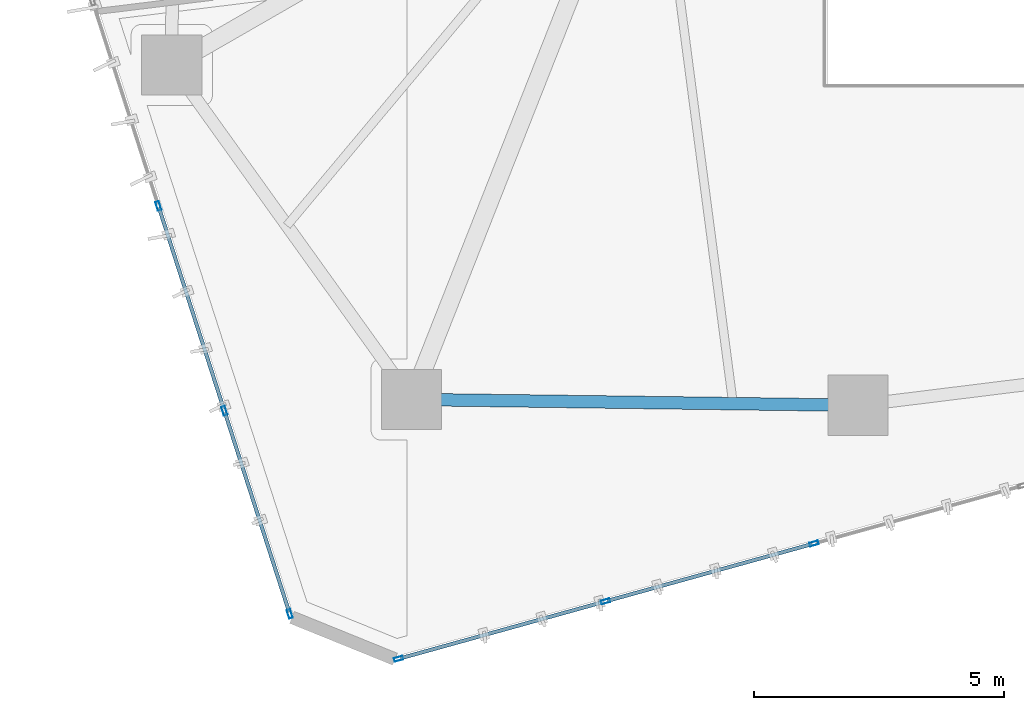
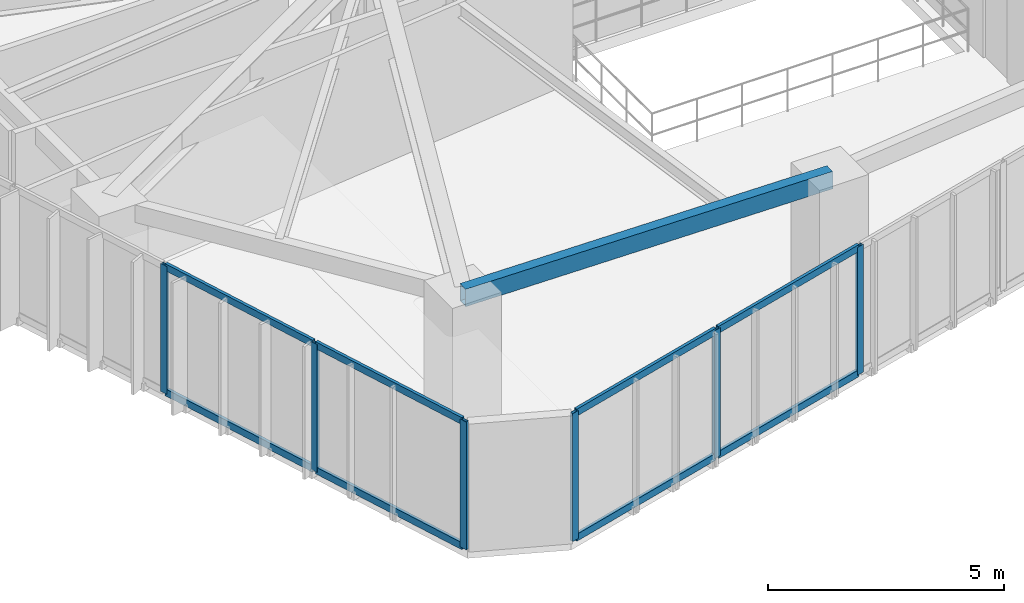
# One storey, part 2 of 20: 14 members, 1 beam, 2 elements without a shape of their own.
"""IFC4 building model written with IfcOpenShell, lengths in metres."""

from ifc_helpers import new_model, si_unit, direction, frame, origin, origin_2d, place, context, subcontext, project, spatial, hollow_rectangle, extrude, source, transform, mapped, material, layer, layer_set, material_profile, profile_set, type_object, type_shapes, element, aggregate, save


model = new_model("IFC4")

# Units and contexts
model_context = context("Model", 3, precision=1e-05, world=origin(), true_north=direction((0.0, 1.0)))
body_context = subcontext(model_context, "Body", "Model", "MODEL_VIEW")
ifc_project = project(units=[si_unit("LENGTHUNIT", "METRE"), si_unit("AREAUNIT", "SQUARE_METRE"), si_unit("VOLUMEUNIT", "CUBIC_METRE"), si_unit("PLANEANGLEUNIT", "RADIAN"), si_unit("MASSUNIT", "GRAM", prefix="KILO")], contexts=[model_context])

# Site, building, storey
site_placement = place(None, origin())
site = spatial("IfcSite", under=ifc_project, at=site_placement, CompositionType="ELEMENT")
building_placement = place(site_placement, origin())
building = spatial("IfcBuilding", under=site, at=building_placement, Name="Talar Marvaseh", CompositionType="ELEMENT")
storey_placement = place(building_placement, frame((0.0, 0.0, 136.199951171875)))
storey = spatial("IfcBuildingStorey", under=building, at=storey_placement, Name="L35", CompositionType="ELEMENT", Elevation=136.199951171875)

# Beam
ifc_material_1 = material(Name="Steel S355", Category="steel")
ifc_material_profile_1 = material_profile(ifc_material_1, hollow_rectangle(XDim=0.25, YDim=0.449951171875, WallThickness=0.01611328125, at=origin_2d()), Name="RHS450x250x16")
ifc_profile_set_1 = profile_set([ifc_material_profile_1], Name="Steel S355")
beam_type = type_object("IfcBeamType", Name="Zone 2 Perimeter Spandrel Beam RHS450x250x16", PredefinedType="SPANDREL", material=ifc_profile_set_1)
beam_placement = place(storey_placement, frame((22.804931640625, 13.18310546875, 3.0849609375), z_axis=(-0.999915383581, 0.013008677034, 0.0), x_axis=(-0.013008677034, -0.999915383581, 0.0)))
element("IfcBeam", 1, at=beam_placement, inside=storey, type_object=beam_type, Name="L35 Zone 2 Perimeter Spandrel Beam RHS450x250x16", PredefinedType="SPANDREL", context=body_context, shape_type="SweptSolid", body=[
    extrude(hollow_rectangle(XDim=0.25, YDim=0.449951171875, WallThickness=0.01611328125, at=origin_2d()), origin(), (0.0, 0.0, 1.0), 8.91455078125),
])

# Curtain wall, members
ifc_material_2 = material(Name="Architectural Aluminium", Category="aluminium")
ifc_layer = layer(ifc_material_2, 0.199951171875)
ifc_layer_set = layer_set([ifc_layer], Name="Architectural Aluminium")
curtain_wall_type = type_object("IfcCurtainWallType", Name="Unitised Acoustic Library Curtain Wall Z2", PredefinedType="NOTDEFINED", material=ifc_layer_set)
curtain_wall_1_placement = place(storey_placement, origin())
curtain_wall_1 = element("IfcCurtainWall", 2, at=curtain_wall_1_placement, inside=storey, type_object=curtain_wall_type, Name="L35 Unitised Acoustic Library Curtain Wall Z2", PredefinedType="NOTDEFINED")
ifc_material_profile_2 = material_profile(ifc_material_2, hollow_rectangle(XDim=0.074951171875, YDim=0.179931640625, WallThickness=0.0048828125, at=origin_2d()), Name="RHS180x75x5")
ifc_profile_set_2 = profile_set([ifc_material_profile_2], Name="Architectural Aluminium")
member_type_1 = type_object("IfcMemberType", Name="Unitised Curtain Wall Standard Mullion RHS180x75x5", PredefinedType="MULLION", material=ifc_profile_set_2)
shared_shape_1 = source(origin(), body_context, "Body", "SweptSolid", [
    extrude(hollow_rectangle(XDim=0.074951171875, YDim=0.179931640625, WallThickness=0.0048828125, at=origin_2d()), origin(), (0.0, 0.0, 1.0), 3.31005859375),
])
type_shapes(member_type_1, [shared_shape_1])
member_1_placement = place(storey_placement, frame((11.45654296875, 9.0185546875, 0.0), z_axis=(0.0, 0.0, 1.0), x_axis=(-0.951882475117, -0.306463298887, 0.0)))
member_1 = element("IfcMember", 3, at=member_1_placement, type_object=member_type_1, Name="CW-Z2 mullion 1", PredefinedType="MULLION", context=body_context, shape_type="MappedRepresentation", body=[
    mapped(shared_shape_1, transform((0.0, 0.0, 0.0), x_axis=(1.0, 0.0, 0.0), y_axis=(0.0, 1.0, 0.0), z_axis=(0.0, 0.0, 1.0), scale=1.0)),
])
member_2_placement = place(storey_placement, frame((10.15087890625, 13.073974609375, 0.0), z_axis=(0.0, 0.0, 1.0), x_axis=(-0.951882475117, -0.306463298887, 0.0)))
member_2 = element("IfcMember", 4, at=member_2_placement, type_object=member_type_1, Name="CW-Z2 mullion 2", PredefinedType="MULLION", context=body_context, shape_type="MappedRepresentation", body=[
    mapped(shared_shape_1, transform((0.0, 0.0, 0.0), x_axis=(1.0, 0.0, 0.0), y_axis=(0.0, 1.0, 0.0), z_axis=(0.0, 0.0, 1.0), scale=1.0)),
])
member_3_placement = place(storey_placement, frame((8.833740234375, 17.1650390625, 0.0), z_axis=(0.0, 0.0, 1.0), x_axis=(-0.951882475117, -0.306463298887, 0.0)))
member_3 = element("IfcMember", 5, at=member_3_placement, type_object=member_type_1, Name="CW-Z2 mullion 3", PredefinedType="MULLION", context=body_context, shape_type="MappedRepresentation", body=[
    mapped(shared_shape_1, transform((0.0, 0.0, 0.0), x_axis=(1.0, 0.0, 0.0), y_axis=(0.0, 1.0, 0.0), z_axis=(0.0, 0.0, 1.0), scale=1.0)),
])

curtain_wall_2_placement = place(storey_placement, origin())
curtain_wall_2 = element("IfcCurtainWall", 6, at=curtain_wall_2_placement, inside=storey, type_object=curtain_wall_type, Name="L35 Unitised Acoustic Library Curtain Wall Z2", PredefinedType="NOTDEFINED")
member_4_placement = place(storey_placement, frame((21.927490234375, 10.422607421875, 0.0), z_axis=(0.0, 0.0, 1.0), x_axis=(0.267388332185, -0.963588854134, 0.0)))
member_4 = element("IfcMember", 7, at=member_4_placement, type_object=member_type_1, Name="CW-Z2 mullion 4", PredefinedType="MULLION", context=body_context, shape_type="MappedRepresentation", body=[
    mapped(shared_shape_1, transform((0.0, 0.0, 0.0), x_axis=(1.0, 0.0, 0.0), y_axis=(0.0, 1.0, 0.0), z_axis=(0.0, 0.0, 1.0), scale=1.0)),
])
member_5_placement = place(storey_placement, frame((17.761474609375, 9.2666015625, 0.0), z_axis=(0.0, 0.0, 1.0), x_axis=(0.267388332185, -0.963588854134, 0.0)))
member_5 = element("IfcMember", 8, at=member_5_placement, type_object=member_type_1, Name="CW-Z2 mullion 5", PredefinedType="MULLION", context=body_context, shape_type="MappedRepresentation", body=[
    mapped(shared_shape_1, transform((0.0, 0.0, 0.0), x_axis=(1.0, 0.0, 0.0), y_axis=(0.0, 1.0, 0.0), z_axis=(0.0, 0.0, 1.0), scale=1.0)),
])
member_6_placement = place(storey_placement, frame((13.63134765625, 8.12060546875, 0.0), z_axis=(0.0, 0.0, 1.0), x_axis=(0.267388332185, -0.963588854134, 0.0)))
member_6 = element("IfcMember", 9, at=member_6_placement, type_object=member_type_1, Name="CW-Z2 mullion 6", PredefinedType="MULLION", context=body_context, shape_type="MappedRepresentation", body=[
    mapped(shared_shape_1, transform((0.0, 0.0, 0.0), x_axis=(1.0, 0.0, 0.0), y_axis=(0.0, 1.0, 0.0), z_axis=(0.0, 0.0, 1.0), scale=1.0)),
])

# Member
ifc_material_profile_3 = material_profile(ifc_material_2, hollow_rectangle(XDim=0.074951171875, YDim=0.179931640625, WallThickness=0.0048828125, at=origin_2d()), Name="RHS180x75x5")
ifc_profile_set_3 = profile_set([ifc_material_profile_3], Name="Architectural Aluminium")
member_type_2 = type_object("IfcMemberType", Name="Unitised Curtain Wall Transom RHS180x75x5", PredefinedType="USERDEFINED", material=ifc_profile_set_3)
shared_shape_2 = source(origin(), body_context, "Body", "SweptSolid", [
    extrude(hollow_rectangle(XDim=0.074951171875, YDim=0.179931640625, WallThickness=0.0048828125, at=origin_2d()), origin(), (0.0, 0.0, 1.0), 4.222900390625),
])
member_7_placement = place(storey_placement, frame((10.139404296875, 13.109619140625, 0.03759765625), z_axis=(-0.306463892361, 0.951882284045, 0.0), x_axis=(-0.951882284045, -0.306463892361, 0.0)))
member_7 = element("IfcMember", 10, at=member_7_placement, type_object=member_type_2, Name="CW-Z2 transom 2.1", ObjectType="TRANSOM", PredefinedType="USERDEFINED", context=body_context, shape_type="MappedRepresentation", body=[
    mapped(shared_shape_2, transform((0.0, 0.0, 0.0), x_axis=(1.0, 0.0, 0.0), y_axis=(0.0, 1.0, 0.0), z_axis=(0.0, 0.0, 1.0), scale=1.0)),
])

member_8_placement = place(storey_placement, frame((10.139404296875, 13.109619140625, 3.2724609375), z_axis=(-0.306463892361, 0.951882284045, 0.0), x_axis=(-0.951882284045, -0.306463892361, 0.0)))
member_8 = element("IfcMember", 11, at=member_8_placement, type_object=member_type_2, Name="CW-Z2 transom 2.2", ObjectType="TRANSOM", PredefinedType="USERDEFINED", context=body_context, shape_type="MappedRepresentation", body=[
    mapped(shared_shape_2, transform((0.0, 0.0, 0.0), x_axis=(1.0, 0.0, 0.0), y_axis=(0.0, 1.0, 0.0), z_axis=(0.0, 0.0, 1.0), scale=1.0)),
])

shared_shape_3 = source(origin(), body_context, "Body", "SweptSolid", [
    extrude(hollow_rectangle(XDim=0.074951171875, YDim=0.179931640625, WallThickness=0.0048828125, at=origin_2d()), origin(), (0.0, 0.0, 1.0), 4.185546875),
])
member_9_placement = place(storey_placement, frame((11.445068359375, 9.05419921875, 0.03759765625), z_axis=(-0.306464184464, 0.951882190001, 0.0), x_axis=(-0.951882190001, -0.306464184464, 0.0)))
member_9 = element("IfcMember", 12, at=member_9_placement, type_object=member_type_2, Name="CW-Z2 transom 1.1", ObjectType="TRANSOM", PredefinedType="USERDEFINED", context=body_context, shape_type="MappedRepresentation", body=[
    mapped(shared_shape_3, transform((0.0, 0.0, 0.0), x_axis=(1.0, 0.0, 0.0), y_axis=(0.0, 1.0, 0.0), z_axis=(0.0, 0.0, 1.0), scale=1.0)),
])

member_10_placement = place(storey_placement, frame((11.445068359375, 9.05419921875, 3.2724609375), z_axis=(-0.306464184464, 0.951882190001, 0.0), x_axis=(-0.951882190001, -0.306464184464, 0.0)))
member_10 = element("IfcMember", 13, at=member_10_placement, type_object=member_type_2, Name="CW-Z2 transom 1.2", ObjectType="TRANSOM", PredefinedType="USERDEFINED", context=body_context, shape_type="MappedRepresentation", body=[
    mapped(shared_shape_3, transform((0.0, 0.0, 0.0), x_axis=(1.0, 0.0, 0.0), y_axis=(0.0, 1.0, 0.0), z_axis=(0.0, 0.0, 1.0), scale=1.0)),
])

aggregate(curtain_wall_1, [member_1, member_2, member_3, member_9, member_10, member_7, member_8])

shared_shape_4 = source(origin(), body_context, "Body", "SweptSolid", [
    extrude(hollow_rectangle(XDim=0.074951171875, YDim=0.179931640625, WallThickness=0.0048828125, at=origin_2d()), origin(), (0.0, 0.0, 1.0), 4.211181640625),
])
member_11_placement = place(storey_placement, frame((17.725341796875, 9.256591796875, 0.03759765625), z_axis=(-0.963591794339, -0.267377736327, 0.0), x_axis=(0.267377736327, -0.963591794339, 0.0)))
member_11 = element("IfcMember", 14, at=member_11_placement, type_object=member_type_2, Name="CW-Z2 transom 5.1", ObjectType="TRANSOM", PredefinedType="USERDEFINED", context=body_context, shape_type="MappedRepresentation", body=[
    mapped(shared_shape_4, transform((0.0, 0.0, 0.0), x_axis=(1.0, 0.0, 0.0), y_axis=(0.0, 1.0, 0.0), z_axis=(0.0, 0.0, 1.0), scale=1.0)),
])

member_12_placement = place(storey_placement, frame((17.725341796875, 9.256591796875, 3.2724609375), z_axis=(-0.963591794339, -0.267377736327, 0.0), x_axis=(0.267377736327, -0.963591794339, 0.0)))
member_12 = element("IfcMember", 15, at=member_12_placement, type_object=member_type_2, Name="CW-Z2 transom 5.2", ObjectType="TRANSOM", PredefinedType="USERDEFINED", context=body_context, shape_type="MappedRepresentation", body=[
    mapped(shared_shape_4, transform((0.0, 0.0, 0.0), x_axis=(1.0, 0.0, 0.0), y_axis=(0.0, 1.0, 0.0), z_axis=(0.0, 0.0, 1.0), scale=1.0)),
])

shared_shape_5 = source(origin(), body_context, "Body", "SweptSolid", [
    extrude(hollow_rectangle(XDim=0.074951171875, YDim=0.179931640625, WallThickness=0.0048828125, at=origin_2d()), origin(), (0.0, 0.0, 1.0), 4.24853515625),
])
type_shapes(member_type_2, [shared_shape_2, shared_shape_3, shared_shape_4, shared_shape_5])
member_13_placement = place(storey_placement, frame((21.891357421875, 10.41259765625, 0.03759765625), z_axis=(-0.963588679207, -0.267388962569, 0.0), x_axis=(0.267388962569, -0.963588679207, 0.0)))
member_13 = element("IfcMember", 16, at=member_13_placement, type_object=member_type_2, Name="CW-Z2 transom 4.1", ObjectType="TRANSOM", PredefinedType="USERDEFINED", context=body_context, shape_type="MappedRepresentation", body=[
    mapped(shared_shape_5, transform((0.0, 0.0, 0.0), x_axis=(1.0, 0.0, 0.0), y_axis=(0.0, 1.0, 0.0), z_axis=(0.0, 0.0, 1.0), scale=1.0)),
])

member_14_placement = place(storey_placement, frame((21.891357421875, 10.41259765625, 3.2724609375), z_axis=(-0.963588679207, -0.267388962569, 0.0), x_axis=(0.267388962569, -0.963588679207, 0.0)))
member_14 = element("IfcMember", 17, at=member_14_placement, type_object=member_type_2, Name="CW-Z2 transom 4.2", ObjectType="TRANSOM", PredefinedType="USERDEFINED", context=body_context, shape_type="MappedRepresentation", body=[
    mapped(shared_shape_5, transform((0.0, 0.0, 0.0), x_axis=(1.0, 0.0, 0.0), y_axis=(0.0, 1.0, 0.0), z_axis=(0.0, 0.0, 1.0), scale=1.0)),
])

aggregate(curtain_wall_2, [member_4, member_5, member_6, member_13, member_14, member_11, member_12])

save(model, "model.ifc")
